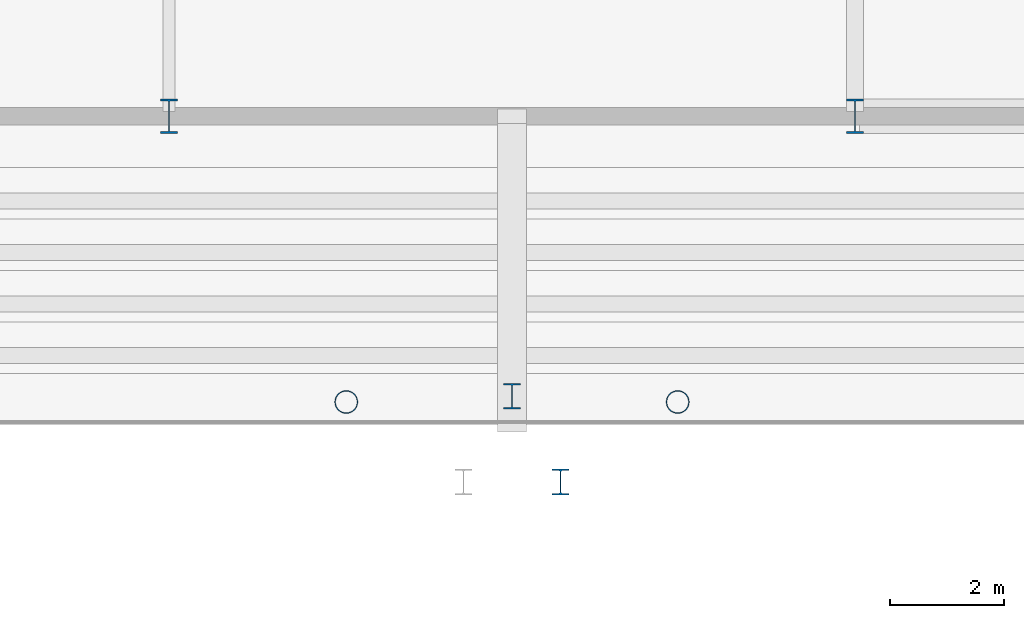
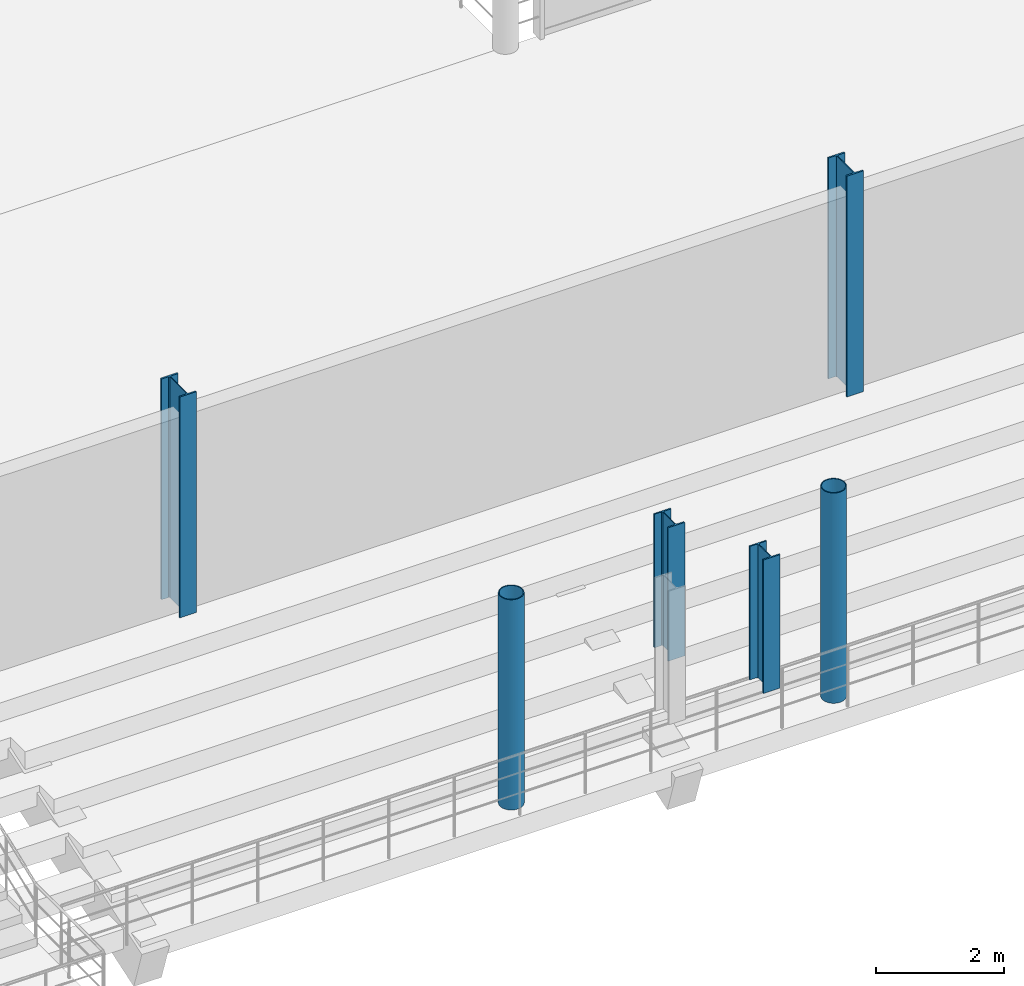
# One storey, part 4 of 89: 6 columns.
"""IFC4 building model written with IfcOpenShell, lengths in metres."""

import ifcopenshell
import ifcopenshell.guid

model = None  # the IFC model being written
_history = None  # IfcOwnerHistory: only IFC2X3 demands one
_inside = {}  # id of a spatial element -> (the spatial element, [elements in it])
_under = {}  # id of a project, library or spatial element -> (it, [spatial elements below it])
_declared = {}  # id of a project -> (the project, [libraries it declares])
_typed = {}  # id of a type object -> (the type object, [elements of that type])
_made_of = {}  # id of a material, layer set ... -> (it, [elements and type objects made of it])


def new_model(schema):
    """Start an empty IFC model of exactly this schema.

    Asked for "IFC4X3", IfcOpenShell would pick the latest addendum, in which some entities
    have other attributes; the version numbers below select the first issue.
    IFC2X3 requires an IfcOwnerHistory on every rooted entity: one is made here for all.
    """
    global model, _history
    if schema == "IFC4X3":
        model = ifcopenshell.file(schema_version=(4, 3, 0, 0))
    else:
        model = ifcopenshell.file(schema=schema)
    _inside.clear()
    _under.clear()
    _declared.clear()
    _typed.clear()
    _made_of.clear()
    _history = None
    if model.schema == "IFC2X3":
        org = make("IfcOrganization", Name="unknown")
        user = make(
            "IfcPersonAndOrganization",
            ThePerson=make("IfcPerson", FamilyName="unknown"),
            TheOrganization=org,
        )
        app = make(
            "IfcApplication",
            ApplicationDeveloper=org,
            Version="unknown",
            ApplicationFullName="unknown",
            ApplicationIdentifier="unknown",
        )
        _history = make(
            "IfcOwnerHistory",
            OwningUser=user,
            OwningApplication=app,
            ChangeAction="ADDED",
            CreationDate=0,
        )
    return model


def make(cls, **values):
    """One entity of the class cls with the attributes given. An attribute that is None is left unset."""
    return model.create_entity(
        cls, **{name: value for name, value in values.items() if value is not None}
    )


def rooted(cls, **values):
    """An entity with a GlobalId (a new one), such as an element, a storey or a relation."""
    return make(cls, GlobalId=ifcopenshell.guid.new(), OwnerHistory=_history, **values)


def si_unit(unit_type, name, prefix=None):
    """IfcSIUnit, for example si_unit("LENGTHUNIT", "METRE", prefix="MILLI")."""
    return make("IfcSIUnit", UnitType=unit_type, Prefix=prefix, Name=name)


def assignment(units):
    """IfcUnitAssignment: the units of a project."""
    return None if units is None else make("IfcUnitAssignment", Units=units)


def point(xyz):
    """IfcCartesianPoint."""
    return None if xyz is None else make("IfcCartesianPoint", Coordinates=xyz)


def direction(xyz):
    """IfcDirection."""
    return None if xyz is None else make("IfcDirection", DirectionRatios=xyz)


def frame(location, z_axis=None, x_axis=None):
    """IfcAxis2Placement3D, a coordinate frame: its origin and axes. An axis left out is left unset."""
    return make(
        "IfcAxis2Placement3D",
        Location=point(location),
        Axis=direction(z_axis),
        RefDirection=direction(x_axis),
    )


def frame_2d(location, x_axis=None):
    """IfcAxis2Placement2D, a coordinate frame in the plane: its origin and x axis."""
    return make(
        "IfcAxis2Placement2D", Location=point(location), RefDirection=direction(x_axis)
    )


def origin():
    """The frame at (0, 0, 0) with its axes left unset."""
    return frame((0.0, 0.0, 0.0))


def origin_2d():
    """The frame at (0, 0) in the plane with its x axis left unset."""
    return frame_2d((0.0, 0.0))


def place(relative_to, where):
    """IfcLocalPlacement: puts the frame where relative to a parent placement (None: the world)."""
    return make(
        "IfcLocalPlacement", PlacementRelTo=relative_to, RelativePlacement=where
    )


def context(
    kind, dimensions, precision=None, world=None, true_north=None, identifier=None
):
    """IfcGeometricRepresentationContext, for example the 3D "Model" context."""
    return make(
        "IfcGeometricRepresentationContext",
        ContextIdentifier=identifier,
        ContextType=kind,
        CoordinateSpaceDimension=dimensions,
        Precision=precision,
        WorldCoordinateSystem=world,
        TrueNorth=true_north,
    )


def subcontext(parent, identifier, kind, view, scale=None):
    """IfcGeometricRepresentationSubContext, for example "Body" below "Model"."""
    return make(
        "IfcGeometricRepresentationSubContext",
        ContextIdentifier=identifier,
        ContextType=kind,
        ParentContext=parent,
        TargetScale=scale,
        TargetView=view,
    )


def project(units=None, contexts=None):
    """IfcProject with its units and contexts."""
    return rooted(
        "IfcProject",
        Name="project",
        RepresentationContexts=contexts,
        UnitsInContext=assignment(units),
    )


def spatial(cls, under=None, at=None, **own):
    """A site, building, storey or space (cls), placed at a placement, below another one or the project."""
    s = rooted(cls, ObjectPlacement=at, **own)
    if under is not None:
        _under.setdefault(under.id(), (under, []))[1].append(s)
    return s


def profile(cls, at=None, kind="AREA", **sizes):
    """A parametric profile (cls). Its sizes go by their IFC names, for example OverallWidth=200.0."""
    return make(cls, ProfileType=kind, Position=at, **sizes)


def hollow_circle(**sizes):
    """IfcCircleHollowProfileDef."""
    return profile("IfcCircleHollowProfileDef", **sizes)


def i_section(**sizes):
    """IfcIShapeProfileDef."""
    return profile("IfcIShapeProfileDef", **sizes)


def extrude(swept, where, along, depth):
    """IfcExtrudedAreaSolid: the profile swept, set in the frame where, extruded along a direction by depth."""
    return make(
        "IfcExtrudedAreaSolid",
        SweptArea=swept,
        Position=where,
        ExtrudedDirection=direction(along),
        Depth=depth,
    )


def shape(context_of_items, identifier, shape_type, items):
    """IfcShapeRepresentation: the items that make up one representation, for example the "Body"."""
    return make(
        "IfcShapeRepresentation",
        ContextOfItems=context_of_items,
        RepresentationIdentifier=identifier,
        RepresentationType=shape_type,
        Items=items,
    )


def material(Name=None, Category=None):
    """IfcMaterial."""
    return make("IfcMaterial", Name=Name, Category=Category)


def material_profile(
    of_material, cross_section, Name=None, Category=None, Priority=None
):
    """IfcMaterialProfile: a cross section and its material."""
    return make(
        "IfcMaterialProfile",
        Name=Name,
        Material=of_material,
        Profile=cross_section,
        Priority=Priority,
        Category=Category,
    )


def profile_set(profiles, Name=None, composite=None):
    """IfcMaterialProfileSet."""
    return make(
        "IfcMaterialProfileSet",
        Name=Name,
        MaterialProfiles=profiles,
        CompositeProfile=composite,
    )


def made_of(thing, what):
    """Note that an element or type object is made of a material, layer set ...; save() writes the relation."""
    if what is not None:
        _made_of.setdefault(what.id(), (what, []))[1].append(thing)
    return thing


def type_object(cls, material=None, **own):
    """A type object (cls), such as IfcWallType, which elements share."""
    return made_of(rooted(cls, **own), material)


def element(
    cls,
    number,
    at=None,
    inside=None,
    cuts=None,
    type_object=None,
    material=None,
    context=None,
    identifier="Body",
    shape_type=None,
    held_by="IfcProductDefinitionShape",
    body=None,
    shapes=None,
    **own,
):
    """One element of the class cls, such as IfcWall. Its Tag is "e" and its number.

    at: its placement. inside: the storey or other place that contains it. cuts: it is an
    opening in that element (IfcRelVoidsElement). A single representation is given by context,
    identifier, shape_type and body (its items); several are given by shapes. held_by: the class
    of the entity that holds the representations. save() writes the other relations.
    """
    e = rooted(cls, Tag="e%d" % number, ObjectPlacement=at, **own)
    if body is not None:
        shapes = [shape(context, identifier, shape_type, body)]
    if shapes is not None:
        e.Representation = make(held_by, Representations=shapes)
    if inside is not None:
        _inside.setdefault(inside.id(), (inside, []))[1].append(e)
    if cuts is not None:
        rooted(
            "IfcRelVoidsElement", RelatingBuildingElement=cuts, RelatedOpeningElement=e
        )
    if type_object is not None:
        _typed.setdefault(type_object.id(), (type_object, []))[1].append(e)
    return made_of(e, material)


def aggregate(whole, parts):
    """IfcRelAggregates: a whole, such as a stair, and the parts it consists of."""
    return rooted("IfcRelAggregates", RelatingObject=whole, RelatedObjects=parts)


def save(model, path):
    """Write the relations noted so far, then the file.

    IfcRelAggregates (storeys below a building ...), IfcRelContainedInSpatialStructure (elements
    in a storey), IfcRelDefinesByType, IfcRelAssociatesMaterial and IfcRelDeclares: one each for
    every whole, place, type object, material and project.
    """
    for whole, parts in _under.values():
        aggregate(whole, parts)
    for where, things in _inside.values():
        rooted(
            "IfcRelContainedInSpatialStructure",
            RelatedElements=things,
            RelatingStructure=where,
        )
    for kind, things in _typed.values():
        rooted("IfcRelDefinesByType", RelatedObjects=things, RelatingType=kind)
    for what, things in _made_of.values():
        rooted("IfcRelAssociatesMaterial", RelatedObjects=things, RelatingMaterial=what)
    for by, libraries in _declared.values():
        rooted("IfcRelDeclares", RelatingContext=by, RelatedDefinitions=libraries)
    model.write(path)


model = new_model("IFC4")

# Units and contexts
model_context = context("Model", 3, precision=1e-05, world=origin(), true_north=direction((0.0, 1.0)))
body_context = subcontext(model_context, "Body", "Model", "MODEL_VIEW")
ifc_project = project(units=[si_unit("LENGTHUNIT", "METRE"), si_unit("AREAUNIT", "SQUARE_METRE"), si_unit("VOLUMEUNIT", "CUBIC_METRE"), si_unit("PLANEANGLEUNIT", "RADIAN"), si_unit("MASSUNIT", "GRAM", prefix="KILO"), si_unit("THERMODYNAMICTEMPERATUREUNIT", "KELVIN"), si_unit("POWERUNIT", "WATT")], contexts=[model_context])

# Site, building, storey
site_placement = place(None, origin())
site = spatial("IfcSite", under=ifc_project, at=site_placement, CompositionType="ELEMENT")
building_placement = place(site_placement, origin())
building = spatial("IfcBuilding", under=site, at=building_placement, Name="Solmara Park Aquatics Centre", CompositionType="ELEMENT")
storey_placement = place(building_placement, frame((0.0, 0.0, 5.39990234375)))
storey = spatial("IfcBuildingStorey", under=building, at=storey_placement, Name="L01", CompositionType="ELEMENT", Elevation=5.39990234375)

# Columns
ifc_material = material(Name="Structural Steel S355", Category="steel")
ifc_material_profile_1 = material_profile(ifc_material, hollow_circle(Radius=0.203125, WallThickness=0.01611328125, at=origin_2d()), Name="CHS 406.4x16")
ifc_profile_set_1 = profile_set([ifc_material_profile_1], Name="Structural Steel S355")
column_type_1 = type_object("IfcColumnType", Name="STR-COL-CHS406", PredefinedType="COLUMN", material=ifc_profile_set_1)
for number, where, z_axis, x_axis, name in (
    (1, (51.699951171875, 57.0, -1.7998046875), (0.0, 0.0, 1.0), (1.0, 0.0, 0.0), "Upper Stand Front Column L01 N1-2"),
    (2, (57.5, 57.0, -1.7998046875), (0.0, 0.0, 1.0), (1.0, 0.0, 0.0), "Upper Stand Front Column L01 N2-1"),
):
    element("IfcColumn", number, at=place(storey_placement, frame(where, z_axis=z_axis, x_axis=x_axis)), inside=storey, type_object=column_type_1, Name=name, PredefinedType="COLUMN", context=body_context, shape_type="SweptSolid", body=[
        extrude(hollow_circle(Radius=0.203125, WallThickness=0.01611328125, at=origin_2d()), origin(), (0.0, 0.0, 1.0), 4.0),
    ])
ifc_material_profile_2 = material_profile(ifc_material, i_section(OverallWidth=0.300048828125, OverallDepth=0.449951171875, WebThickness=0.013916015625, FlangeThickness=0.02587890625, FilletRadius=0.027099609375, at=origin_2d()), Name="HEB 450")
ifc_profile_set_2 = profile_set([ifc_material_profile_2], Name="Structural Steel S355")
column_type_2 = type_object("IfcColumnType", Name="STR-COL-HEB450", PredefinedType="COLUMN", material=ifc_profile_set_2)
for number, where, z_axis, x_axis, name in (
    (3, (55.449951171875, 55.60009765625, 0.0), (0.0, 0.0, 1.0), (1.0, 0.0, 0.0), "Vomitory Stair VS-05 Support Column 2"),
    (4, (54.60009765625, 57.10009765625, 0.0), (0.0, 0.0, 1.0), (1.0, 0.0, 0.0), "Vomitory Stair VS-05 Support Column 3"),
):
    element("IfcColumn", number, at=place(storey_placement, frame(where, z_axis=z_axis, x_axis=x_axis)), inside=storey, type_object=column_type_2, Name=name, PredefinedType="COLUMN", context=body_context, shape_type="SweptSolid", body=[
        extrude(i_section(OverallWidth=0.300048828125, OverallDepth=0.449951171875, WebThickness=0.013916015625, FlangeThickness=0.02587890625, FilletRadius=0.027099609375, at=origin_2d()), origin(), (0.0, 0.0, 1.0), 2.5400390625),
    ])
ifc_material_profile_3 = material_profile(ifc_material, i_section(OverallWidth=0.300048828125, OverallDepth=0.60009765625, WebThickness=0.015380859375, FlangeThickness=0.030029296875, FilletRadius=0.027099609375, at=origin_2d()), Name="HEB 600")
ifc_profile_set_3 = profile_set([ifc_material_profile_3], Name="Structural Steel S355")
column_type_3 = type_object("IfcColumnType", Name="STR-COL-HEB600", PredefinedType="COLUMN", material=ifc_profile_set_3)
for number, where, z_axis, x_axis, name in (
    (5, (48.60009765625, 62.0, 0.0), (0.0, 0.0, 1.0), (1.0, 0.0, 0.0), "Column L01-0350"),
    (6, (60.60009765625, 62.0, 0.0), (0.0, 0.0, 1.0), (1.0, 0.0, 0.0), "Column L01-0360"),
):
    element("IfcColumn", number, at=place(storey_placement, frame(where, z_axis=z_axis, x_axis=x_axis)), inside=storey, type_object=column_type_3, Name=name, PredefinedType="COLUMN", context=body_context, shape_type="SweptSolid", body=[
        extrude(i_section(OverallWidth=0.300048828125, OverallDepth=0.60009765625, WebThickness=0.015380859375, FlangeThickness=0.030029296875, FilletRadius=0.027099609375, at=origin_2d()), origin(), (0.0, 0.0, 1.0), 4.2001953125),
    ])

save(model, "model.ifc")
